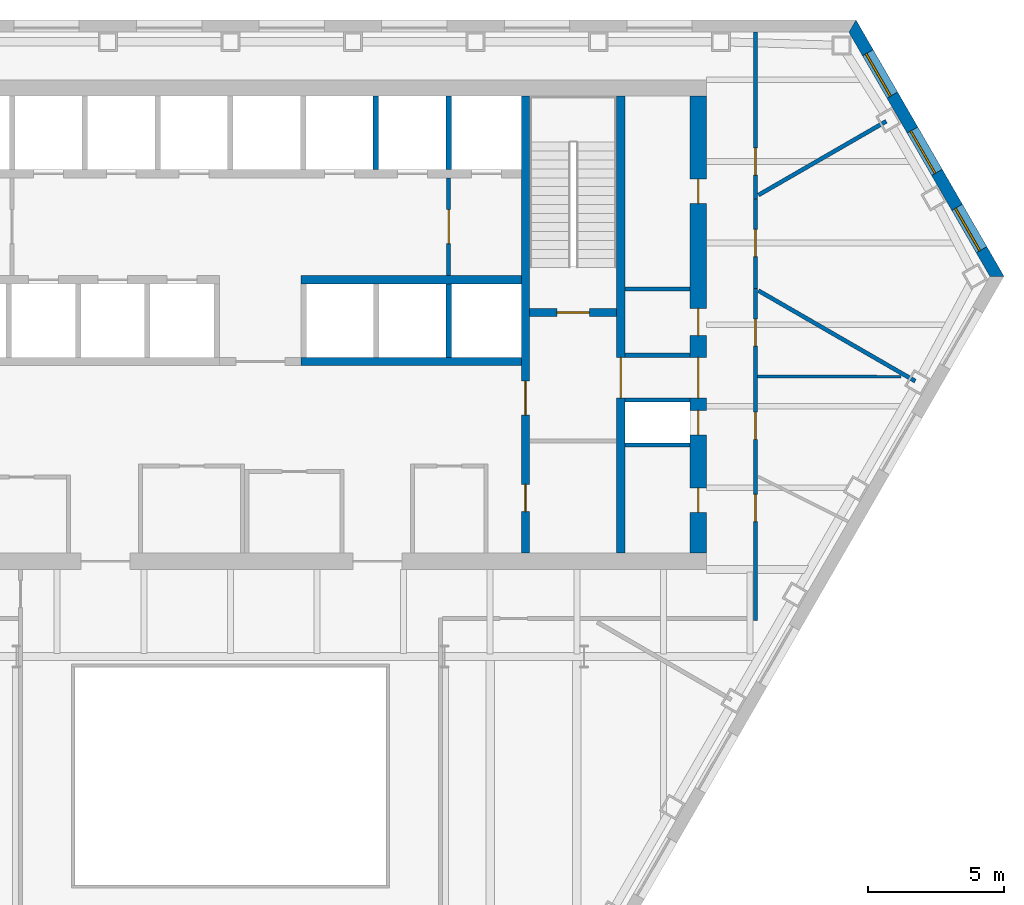
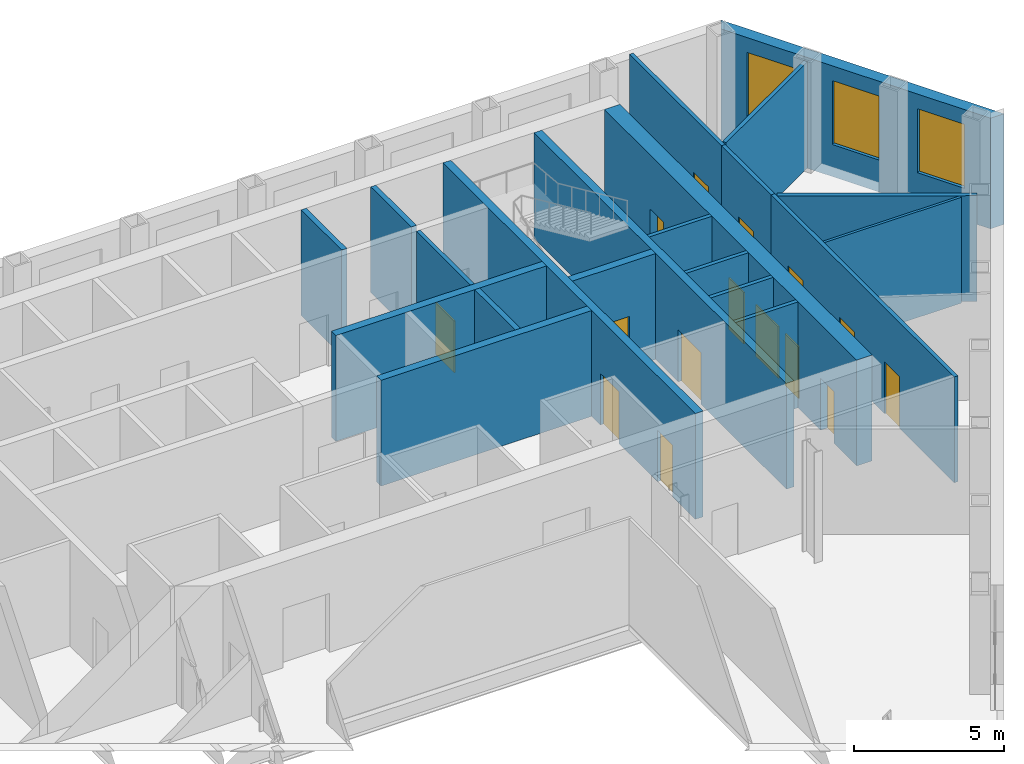
# One storey, part 7 of 10: 21 walls, 15 doors, 3 windows, 18 openings.
"""IFC4 building model written with IfcOpenShell, lengths in metres."""

from ifc_helpers import new_model, si_unit, direction, frame, frame_2d, origin, place, context, subcontext, project, spatial, polyline, rectangle, outline, extrude, material, layer, layer_set, type_object, element, fill, save


model = new_model("IFC4")

# Units and contexts
model_context = context("Model", 3, precision=1e-05, world=origin(), true_north=direction((0.0, 1.0)))
body_context = subcontext(model_context, "Body", "Model", "MODEL_VIEW")
ifc_project = project(units=[si_unit("LENGTHUNIT", "METRE"), si_unit("AREAUNIT", "SQUARE_METRE"), si_unit("VOLUMEUNIT", "CUBIC_METRE"), si_unit("PLANEANGLEUNIT", "RADIAN"), si_unit("MASSUNIT", "GRAM", prefix="KILO")], contexts=[model_context])

# Site, building, storey
site_placement = place(None, origin())
site = spatial("IfcSite", under=ifc_project, at=site_placement, CompositionType="ELEMENT")
building_placement = place(site_placement, origin())
building = spatial("IfcBuilding", under=site, at=building_placement, Name="Njiva Tower", CompositionType="ELEMENT")
storey_placement = place(building_placement, frame((0.0, 0.0, 73.8)))
storey = spatial("IfcBuildingStorey", under=building, at=storey_placement, Name="L15", CompositionType="ELEMENT", Elevation=73.8)

# Wall
ifc_material_1 = material(Name="Blockwork", Category="masonry")
ifc_layer_1 = layer(ifc_material_1, 0.15)
ifc_layer_set_1 = layer_set([ifc_layer_1], Name="Blockwork")
wall_type_1 = type_object("IfcWallType", Name="WT1 Compartment partition 150", PredefinedType="PARTITIONING", material=ifc_layer_set_1)
wall_1_placement = place(storey_placement, frame((14.5, 10.3166, 0.0), z_axis=(0.0, 0.0, 1.0), x_axis=(1.0, 0.0, 0.0)))
element("IfcWall", 1, at=wall_1_placement, inside=storey, type_object=wall_type_1, Name="Partition strip E10", PredefinedType="PARTITIONING", context=body_context, shape_type="SweptSolid", body=[
    extrude(rectangle(XDim=2.4, YDim=0.15, at=frame_2d((1.2, 0.0))), origin(), (0.0, 0.0, 1.0), 4.3),
])

# Wall, openings, doors
ifc_material_2 = material(Name="Concrete C40/50", Category="concrete")
ifc_layer_2 = layer(ifc_material_2, 0.3)
ifc_layer_set_2 = layer_set([ifc_layer_2], Name="Concrete C40/50")
wall_type_2 = type_object("IfcWallType", Name="WT10 Stair enclosure wall 300", PredefinedType="SHEAR", material=ifc_layer_set_2)
wall_2_placement = place(storey_placement, frame((10.85, 0.6, 0.0), z_axis=(0.0, 0.0, 1.0), x_axis=(0.0, 1.0, 0.0)))
wall_2 = element("IfcWall", 2, at=wall_2_placement, inside=storey, type_object=wall_type_2, Name="Stair wall east inner", PredefinedType="SHEAR", context=body_context, shape_type="SweptSolid", body=[
    extrude(rectangle(XDim=16.8, YDim=0.3, at=frame_2d((8.4, 0.0))), origin(), (0.0, 0.0, 1.0), 4.3),
])
opening_1_placement = place(wall_2_placement, frame((5.075, 0.0, 0.0)))
opening_1 = element("IfcOpeningElement", 3, at=opening_1_placement, cuts=wall_2, Name="Opening S05-D918", PredefinedType="OPENING", context=body_context, shape_type="SweptSolid", body=[
    extrude(rectangle(XDim=1.25, YDim=2.1, at=frame_2d((0.625, 1.05))), frame((0.0, 0.16, 0.0), z_axis=(0.0, -1.0, 0.0), x_axis=(1.0, 0.0, 0.0)), (0.0, 0.0, 1.0), 0.32),
])
opening_2_placement = place(wall_2_placement, frame((1.525, 0.0, 0.0)))
opening_2 = element("IfcOpeningElement", 4, at=opening_2_placement, cuts=wall_2, Name="Opening S05-D919", PredefinedType="OPENING", context=body_context, shape_type="SweptSolid", body=[
    extrude(rectangle(XDim=1.0, YDim=2.1, at=frame_2d((0.5, 1.05))), frame((0.0, 0.16, 0.0), z_axis=(0.0, -1.0, 0.0), x_axis=(1.0, 0.0, 0.0)), (0.0, 0.0, 1.0), 0.32),
])
ifc_material_3 = material(Name="Steel door, painted", Category="steel")
door_type_1 = type_object("IfcDoorType", Name="D5 Steel door 1000x2100", OperationType="SINGLE_SWING_LEFT", PredefinedType="DOOR", material=ifc_material_3)
door_1_placement = place(opening_2_placement, origin())
door_1 = element("IfcDoor", 5, at=door_1_placement, inside=storey, type_object=door_type_1, Name="Quiet room door", OperationType="SINGLE_SWING_LEFT", OverallHeight=2.1, OverallWidth=1.0, PredefinedType="DOOR", context=body_context, shape_type="SweptSolid", body=[
    extrude(rectangle(XDim=1.0, YDim=2.1, at=frame_2d((0.5, 1.05))), frame((0.0, 0.025, 0.0), z_axis=(0.0, -1.0, 0.0), x_axis=(1.0, 0.0, 0.0)), (0.0, 0.0, 1.0), 0.05),
])
fill(opening_2, door_1)
ifc_material_4 = material(Name="Glazed steel fire door", Category="steel")
door_type_2 = type_object("IfcDoorType", Name="D8 Vestibule corridor door 1250x2100 glazed", OperationType="SINGLE_SWING_LEFT", PredefinedType="DOOR", material=ifc_material_4)
door_2_placement = place(opening_1_placement, origin())
door_2 = element("IfcDoor", 6, at=door_2_placement, inside=storey, type_object=door_type_2, Name="Stair vestibule corridor door", OperationType="SINGLE_SWING_RIGHT", OverallHeight=2.1, OverallWidth=1.25, PredefinedType="DOOR", context=body_context, shape_type="SweptSolid", body=[
    extrude(rectangle(XDim=1.25, YDim=2.1, at=frame_2d((0.625, 1.05))), frame((0.0, 0.025, 0.0), z_axis=(0.0, -1.0, 0.0), x_axis=(1.0, 0.0, 0.0)), (0.0, 0.0, 1.0), 0.05),
])
fill(opening_1, door_2)

# Wall, opening, door
wall_3_placement = place(storey_placement, frame((14.35, 0.6, 0.0), z_axis=(0.0, 0.0, 1.0), x_axis=(0.0, 1.0, 0.0)))
wall_3 = element("IfcWall", 7, at=wall_3_placement, inside=storey, type_object=wall_type_2, Name="Stair wall east outer", PredefinedType="SHEAR", context=body_context, shape_type="SweptSolid", body=[
    extrude(rectangle(XDim=16.8, YDim=0.3, at=frame_2d((8.4, 0.0))), origin(), (0.0, 0.0, 1.0), 4.3),
])
opening_3_placement = place(wall_3_placement, frame((5.7, 0.0, 0.0)))
opening_3 = element("IfcOpeningElement", 8, at=opening_3_placement, cuts=wall_3, Name="Opening S05-D926", PredefinedType="OPENING", context=body_context, shape_type="SweptSolid", body=[
    extrude(rectangle(XDim=1.5, YDim=2.1, at=frame_2d((0.75, 1.05))), frame((0.0, 0.16, 0.0), z_axis=(0.0, -1.0, 0.0), x_axis=(1.0, 0.0, 0.0)), (0.0, 0.0, 1.0), 0.32),
])
door_type_3 = type_object("IfcDoorType", Name="D10 Exit door double 1500x2100 glazed", OperationType="DOUBLE_DOOR_SINGLE_SWING", PredefinedType="DOOR", material=ifc_material_4)
door_3_placement = place(opening_3_placement, origin())
door_3 = element("IfcDoor", 9, at=door_3_placement, inside=storey, type_object=door_type_3, Name="Stair B passage door", OperationType="DOUBLE_DOOR_SINGLE_SWING", OverallHeight=2.1, OverallWidth=1.5, PredefinedType="DOOR", context=body_context, shape_type="SweptSolid", body=[
    extrude(rectangle(XDim=1.5, YDim=2.1, at=frame_2d((0.75, 1.05))), frame((0.0, 0.025, 0.0), z_axis=(0.0, -1.0, 0.0), x_axis=(1.0, 0.0, 0.0)), (0.0, 0.0, 1.0), 0.05),
])
fill(opening_3, door_3)

wall_4_placement = place(storey_placement, frame((11.0, 9.45, 0.0), z_axis=(0.0, 0.0, 1.0), x_axis=(1.0, 0.0, 0.0)))
wall_4 = element("IfcWall", 10, at=wall_4_placement, inside=storey, type_object=wall_type_2, Name="Stair B south wall", PredefinedType="SHEAR", context=body_context, shape_type="SweptSolid", body=[
    extrude(rectangle(XDim=3.2, YDim=0.3, at=frame_2d((1.6, 0.0))), origin(), (0.0, 0.0, 1.0), 4.3),
])
opening_4_placement = place(wall_4_placement, frame((1.0, 0.0, 0.0)))
opening_4 = element("IfcOpeningElement", 11, at=opening_4_placement, cuts=wall_4, Name="Opening S05-D917", PredefinedType="OPENING", context=body_context, shape_type="SweptSolid", body=[
    extrude(rectangle(XDim=1.2, YDim=2.1, at=frame_2d((0.6, 1.05))), frame((0.0, 0.16, 0.0), z_axis=(0.0, -1.0, 0.0), x_axis=(1.0, 0.0, 0.0)), (0.0, 0.0, 1.0), 0.32),
])
door_type_4 = type_object("IfcDoorType", Name="D7 Stair vestibule door 1200x2100 glazed", OperationType="SINGLE_SWING_LEFT", PredefinedType="DOOR", material=ifc_material_4)
door_4_placement = place(opening_4_placement, origin())
door_4 = element("IfcDoor", 12, at=door_4_placement, inside=storey, type_object=door_type_4, Name="Stair B door", OperationType="SINGLE_SWING_LEFT", OverallHeight=2.1, OverallWidth=1.2, PredefinedType="DOOR", context=body_context, shape_type="SweptSolid", body=[
    extrude(rectangle(XDim=1.2, YDim=2.1, at=frame_2d((0.6, 1.05))), frame((0.0, 0.025, 0.0), z_axis=(0.0, -1.0, 0.0), x_axis=(1.0, 0.0, 0.0)), (0.0, 0.0, 1.0), 0.05),
])
fill(opening_4, door_4)

# Wall, openings, doors
ifc_material_5 = material(Name="Concrete C60/75", Category="concrete")
ifc_layer_3 = layer(ifc_material_5, 0.6)
ifc_layer_set_3 = layer_set([ifc_layer_3], Name="Concrete C60/75")
wall_type_3 = type_object("IfcWallType", Name="WT15 Core wall 600", PredefinedType="SHEAR", material=ifc_layer_set_3)
wall_5_placement = place(storey_placement, frame((17.2, 0.6, 0.0), z_axis=(0.0, 0.0, 1.0), x_axis=(0.0, 1.0, 0.0)))
wall_5 = element("IfcWall", 13, at=wall_5_placement, inside=storey, type_object=wall_type_3, Name="Core wall east", PredefinedType="SHEAR", context=body_context, shape_type="SweptSolid", body=[
    extrude(rectangle(XDim=16.8, YDim=0.6, at=frame_2d((8.4, 0.0))), origin(), (0.0, 0.0, 1.0), 4.3),
])
opening_5_placement = place(wall_5_placement, frame((5.7, 0.0, 0.0)))
opening_5 = element("IfcOpeningElement", 14, at=opening_5_placement, cuts=wall_5, Name="Opening S05-D927", PredefinedType="OPENING", context=body_context, shape_type="SweptSolid", body=[
    extrude(rectangle(XDim=1.5, YDim=2.1, at=frame_2d((0.75, 1.05))), frame((0.0, 0.31, 0.0), z_axis=(0.0, -1.0, 0.0), x_axis=(1.0, 0.0, 0.0)), (0.0, 0.0, 1.0), 0.62),
])
opening_6_placement = place(wall_5_placement, frame((1.5, 0.0, 0.0)))
opening_6 = element("IfcOpeningElement", 15, at=opening_6_placement, cuts=wall_5, Name="Opening S05-D928", PredefinedType="OPENING", context=body_context, shape_type="SweptSolid", body=[
    extrude(rectangle(XDim=0.9, YDim=2.1, at=frame_2d((0.45, 1.05))), frame((0.0, 0.31, 0.0), z_axis=(0.0, -1.0, 0.0), x_axis=(1.0, 0.0, 0.0)), (0.0, 0.0, 1.0), 0.62),
])
opening_7_placement = place(wall_5_placement, frame((4.35, 0.0, 0.0)))
opening_7 = element("IfcOpeningElement", 16, at=opening_7_placement, cuts=wall_5, Name="Opening S05-D929", PredefinedType="OPENING", context=body_context, shape_type="SweptSolid", body=[
    extrude(rectangle(XDim=0.9, YDim=2.1, at=frame_2d((0.45, 1.05))), frame((0.0, 0.31, 0.0), z_axis=(0.0, -1.0, 0.0), x_axis=(1.0, 0.0, 0.0)), (0.0, 0.0, 1.0), 0.62),
])
opening_8_placement = place(wall_5_placement, frame((7.9958, 0.0, 0.0)))
opening_8 = element("IfcOpeningElement", 17, at=opening_8_placement, cuts=wall_5, Name="Opening S05-D930", PredefinedType="OPENING", context=body_context, shape_type="SweptSolid", body=[
    extrude(rectangle(XDim=1.0, YDim=2.1, at=frame_2d((0.5, 1.05))), frame((0.0, 0.31, 0.0), z_axis=(0.0, -1.0, 0.0), x_axis=(1.0, 0.0, 0.0)), (0.0, 0.0, 1.0), 0.62),
])
opening_9_placement = place(wall_5_placement, frame((12.8458, 0.0, 0.0)))
opening_9 = element("IfcOpeningElement", 18, at=opening_9_placement, cuts=wall_5, Name="Opening S05-D931", PredefinedType="OPENING", context=body_context, shape_type="SweptSolid", body=[
    extrude(rectangle(XDim=0.9, YDim=2.1, at=frame_2d((0.45, 1.05))), frame((0.0, 0.31, 0.0), z_axis=(0.0, -1.0, 0.0), x_axis=(1.0, 0.0, 0.0)), (0.0, 0.0, 1.0), 0.62),
])
door_5_placement = place(opening_5_placement, origin())
door_5 = element("IfcDoor", 19, at=door_5_placement, inside=storey, type_object=door_type_3, Name="Stair B corridor door", OperationType="DOUBLE_DOOR_SINGLE_SWING", OverallHeight=2.1, OverallWidth=1.5, PredefinedType="DOOR", context=body_context, shape_type="SweptSolid", body=[
    extrude(rectangle(XDim=1.5, YDim=2.1, at=frame_2d((0.75, 1.05))), frame((0.0, 0.025, 0.0), z_axis=(0.0, -1.0, 0.0), x_axis=(1.0, 0.0, 0.0)), (0.0, 0.0, 1.0), 0.05),
])
fill(opening_5, door_5)
door_type_5 = type_object("IfcDoorType", Name="D4 Riser door 900x2100", OperationType="SINGLE_SWING_LEFT", PredefinedType="DOOR", material=ifc_material_3)
door_6_placement = place(opening_7_placement, origin())
door_6 = element("IfcDoor", 20, at=door_6_placement, inside=storey, type_object=door_type_5, Name="Riser door", OperationType="SINGLE_SWING_LEFT", OverallHeight=2.1, OverallWidth=0.9, PredefinedType="DOOR", context=body_context, shape_type="SweptSolid", body=[
    extrude(rectangle(XDim=0.9, YDim=2.1, at=frame_2d((0.45, 1.05))), frame((0.0, 0.025, 0.0), z_axis=(0.0, -1.0, 0.0), x_axis=(1.0, 0.0, 0.0)), (0.0, 0.0, 1.0), 0.05),
])
fill(opening_7, door_6)
door_7_placement = place(opening_8_placement, origin())
door_7 = element("IfcDoor", 21, at=door_7_placement, inside=storey, type_object=door_type_1, Name="Telecoms room door", OperationType="SINGLE_SWING_LEFT", OverallHeight=2.1, OverallWidth=1.0, PredefinedType="DOOR", context=body_context, shape_type="SweptSolid", body=[
    extrude(rectangle(XDim=1.0, YDim=2.1, at=frame_2d((0.5, 1.05))), frame((0.0, 0.025, 0.0), z_axis=(0.0, -1.0, 0.0), x_axis=(1.0, 0.0, 0.0)), (0.0, 0.0, 1.0), 0.05),
])
fill(opening_8, door_7)
ifc_material_6 = material(Name="Steel fire door, painted", Category="steel")
door_type_6 = type_object("IfcDoorType", Name="D6 Fire-rated door 900x2100", OperationType="SINGLE_SWING_LEFT", PredefinedType="DOOR", material=ifc_material_6)
door_8_placement = place(opening_6_placement, origin())
door_8 = element("IfcDoor", 22, at=door_8_placement, inside=storey, type_object=door_type_6, Name="Reading room door", OperationType="SINGLE_SWING_RIGHT", OverallHeight=2.1, OverallWidth=0.9, PredefinedType="DOOR", context=body_context, shape_type="SweptSolid", body=[
    extrude(rectangle(XDim=0.9, YDim=2.1, at=frame_2d((0.45, 1.05))), frame((0.0, 0.025, 0.0), z_axis=(0.0, -1.0, 0.0), x_axis=(1.0, 0.0, 0.0)), (0.0, 0.0, 1.0), 0.05),
])
fill(opening_6, door_8)
door_9_placement = place(opening_9_placement, origin())
door_9 = element("IfcDoor", 23, at=door_9_placement, inside=storey, type_object=door_type_6, Name="Tenant centre door", OperationType="SINGLE_SWING_LEFT", OverallHeight=2.1, OverallWidth=0.9, PredefinedType="DOOR", context=body_context, shape_type="SweptSolid", body=[
    extrude(rectangle(XDim=0.9, YDim=2.1, at=frame_2d((0.45, 1.05))), frame((0.0, 0.025, 0.0), z_axis=(0.0, -1.0, 0.0), x_axis=(1.0, 0.0, 0.0)), (0.0, 0.0, 1.0), 0.05),
])
fill(opening_9, door_9)

# Wall, opening, door
ifc_layer_4 = layer(ifc_material_1, 0.15)
ifc_layer_set_4 = layer_set([ifc_layer_4], Name="Blockwork")
wall_type_4 = type_object("IfcWallType", Name="WT2 Lobby partition 150", PredefinedType="PARTITIONING", material=ifc_layer_set_4)
wall_6_placement = place(storey_placement, frame((8.025, 10.8, 0.0), z_axis=(0.0, 0.0, 1.0), x_axis=(0.0, 1.0, 0.0)))
wall_6 = element("IfcWall", 24, at=wall_6_placement, inside=storey, type_object=wall_type_4, Name="Firefighting lobby wall B", PredefinedType="PARTITIONING", context=body_context, shape_type="SweptSolid", body=[
    extrude(rectangle(XDim=3.6, YDim=0.15, at=frame_2d((1.8, 0.0))), origin(), (0.0, 0.0, 1.0), 4.3),
])
opening_10_placement = place(wall_6_placement, frame((1.175, 0.0, 0.0)))
opening_10 = element("IfcOpeningElement", 25, at=opening_10_placement, cuts=wall_6, Name="Opening S05-D916", PredefinedType="OPENING", context=body_context, shape_type="SweptSolid", body=[
    extrude(rectangle(XDim=1.25, YDim=2.1, at=frame_2d((0.625, 1.05))), frame((0.0, 0.085, 0.0), z_axis=(0.0, -1.0, 0.0), x_axis=(1.0, 0.0, 0.0)), (0.0, 0.0, 1.0), 0.17),
])
door_10_placement = place(opening_10_placement, origin())
door_10 = element("IfcDoor", 26, at=door_10_placement, inside=storey, type_object=door_type_2, Name="Stair vestibule corridor door", OperationType="SINGLE_SWING_LEFT", OverallHeight=2.1, OverallWidth=1.25, PredefinedType="DOOR", context=body_context, shape_type="SweptSolid", body=[
    extrude(rectangle(XDim=1.25, YDim=2.1, at=frame_2d((0.625, 1.05))), frame((0.0, 0.025, 0.0), z_axis=(0.0, -1.0, 0.0), x_axis=(1.0, 0.0, 0.0)), (0.0, 0.0, 1.0), 0.05),
])
fill(opening_10, door_10)

# Wall
ifc_material_7 = material(Name="Gypsum board on steel studs", Category="gypsum")
ifc_layer_5 = layer(ifc_material_7, 0.1)
ifc_layer_set_5 = layer_set([ifc_layer_5], Name="Gypsum board on steel studs")
wall_type_5 = type_object("IfcWallType", Name="WT20 Gypsum partition 100", PredefinedType="PARTITIONING", material=ifc_layer_set_5)
wall_7_placement = place(storey_placement, frame((19.375, 7.097, 0.0), z_axis=(0.0, 0.0, 1.0), x_axis=(0.999998546715, -0.001704865869, 0.0)))
element("IfcWall", 27, at=wall_7_placement, inside=storey, type_object=wall_type_5, Name="Partition S05-P017", PredefinedType="PARTITIONING", context=body_context, shape_type="SweptSolid", body=[
    extrude(rectangle(XDim=5.279, YDim=0.1, at=frame_2d((2.6395, 0.0))), origin(), (0.0, 0.0, 1.0), 4.3),
])

# Wall, opening, door
ifc_layer_6 = layer(ifc_material_7, 0.15)
ifc_layer_set_6 = layer_set([ifc_layer_6], Name="Gypsum board on steel studs")
wall_type_6 = type_object("IfcWallType", Name="WT21 Compartment wall 150", PredefinedType="PARTITIONING", material=ifc_layer_set_6)
wall_8_placement = place(storey_placement, frame((19.3, 13.624, 0.0), z_axis=(0.0, 0.0, 1.0), x_axis=(0.000163238653, 0.999999986677, 0.0)))
wall_8 = element("IfcWall", 28, at=wall_8_placement, inside=storey, type_object=wall_type_6, Name="Partition S05-P014", PredefinedType="PARTITIONING", context=body_context, shape_type="SweptSolid", body=[
    extrude(rectangle(XDim=6.126, YDim=0.15, at=frame_2d((3.063, 0.0))), origin(), (0.0, 0.0, 1.0), 4.3),
])
opening_11_placement = place(wall_8_placement, frame((0.875, 0.0, 0.0)))
opening_11 = element("IfcOpeningElement", 29, at=opening_11_placement, cuts=wall_8, Name="Opening S05-D008", PredefinedType="OPENING", context=body_context, shape_type="SweptSolid", body=[
    extrude(rectangle(XDim=1.0, YDim=2.1, at=frame_2d((0.5, 1.05))), frame((0.0, 0.085, 0.0), z_axis=(0.0, -1.0, 0.0), x_axis=(1.0, 0.0, 0.0)), (0.0, 0.0, 1.0), 0.17),
])
ifc_material_8 = material(Name="Steel fire door set", Category="steel")
door_type_7 = type_object("IfcDoorType", Name="D37 Fire door 1000x2100", OperationType="SINGLE_SWING_LEFT", PredefinedType="DOOR", material=ifc_material_8)
door_11_placement = place(opening_11_placement, origin())
door_11 = element("IfcDoor", 30, at=door_11_placement, inside=storey, type_object=door_type_7, Name="Door S05-D008", OperationType="SINGLE_SWING_LEFT", OverallHeight=2.1, OverallWidth=1.0, PredefinedType="DOOR", context=body_context, shape_type="SweptSolid", body=[
    extrude(rectangle(XDim=1.0, YDim=2.1, at=frame_2d((0.5, 1.05))), frame((0.0, 0.025, 0.0), z_axis=(0.0, -1.0, 0.0), x_axis=(1.0, 0.0, 0.0)), (0.0, 0.0, 1.0), 0.05),
])
fill(opening_11, door_11)

# Wall, openings, doors
wall_9_placement = place(storey_placement, frame((19.3, -1.875, 0.0), z_axis=(0.0, 0.0, 1.0), x_axis=(0.0, 1.0, 0.0)))
wall_9 = element("IfcWall", 31, at=wall_9_placement, inside=storey, type_object=wall_type_6, Name="Partition S05-P015", PredefinedType="PARTITIONING", context=body_context, shape_type="SweptSolid", body=[
    extrude(rectangle(XDim=12.202, YDim=0.15, at=frame_2d((6.101, 0.0))), origin(), (0.0, 0.0, 1.0), 4.3),
])
opening_12_placement = place(wall_9_placement, frame((3.634, 0.0, 0.0)))
opening_12 = element("IfcOpeningElement", 32, at=opening_12_placement, cuts=wall_9, Name="Opening S05-D009", PredefinedType="OPENING", context=body_context, shape_type="SweptSolid", body=[
    extrude(rectangle(XDim=1.0, YDim=2.1, at=frame_2d((0.5, 1.05))), frame((0.0, 0.085, 0.0), z_axis=(0.0, -1.0, 0.0), x_axis=(1.0, 0.0, 0.0)), (0.0, 0.0, 1.0), 0.17),
])
opening_13_placement = place(wall_9_placement, frame((6.658, 0.0, 0.0)))
opening_13 = element("IfcOpeningElement", 33, at=opening_13_placement, cuts=wall_9, Name="Opening S05-D010", PredefinedType="OPENING", context=body_context, shape_type="SweptSolid", body=[
    extrude(rectangle(XDim=1.0, YDim=2.1, at=frame_2d((0.5, 1.05))), frame((0.0, 0.085, 0.0), z_axis=(0.0, -1.0, 0.0), x_axis=(1.0, 0.0, 0.0)), (0.0, 0.0, 1.0), 0.17),
])
opening_14_placement = place(wall_9_placement, frame((10.081, 0.0, 0.0)))
opening_14 = element("IfcOpeningElement", 34, at=opening_14_placement, cuts=wall_9, Name="Opening S05-D011", PredefinedType="OPENING", context=body_context, shape_type="SweptSolid", body=[
    extrude(rectangle(XDim=1.0, YDim=2.1, at=frame_2d((0.5, 1.05))), frame((0.0, 0.085, 0.0), z_axis=(0.0, -1.0, 0.0), x_axis=(1.0, 0.0, 0.0)), (0.0, 0.0, 1.0), 0.17),
])
door_12_placement = place(opening_12_placement, origin())
door_12 = element("IfcDoor", 35, at=door_12_placement, inside=storey, type_object=door_type_7, Name="Door S05-D009", OperationType="SINGLE_SWING_LEFT", OverallHeight=2.1, OverallWidth=1.0, PredefinedType="DOOR", context=body_context, shape_type="SweptSolid", body=[
    extrude(rectangle(XDim=1.0, YDim=2.1, at=frame_2d((0.5, 1.05))), frame((0.0, 0.025, 0.0), z_axis=(0.0, -1.0, 0.0), x_axis=(1.0, 0.0, 0.0)), (0.0, 0.0, 1.0), 0.05),
])
fill(opening_12, door_12)
door_13_placement = place(opening_13_placement, origin())
door_13 = element("IfcDoor", 36, at=door_13_placement, inside=storey, type_object=door_type_7, Name="Door S05-D010", OperationType="SINGLE_SWING_RIGHT", OverallHeight=2.1, OverallWidth=1.0, PredefinedType="DOOR", context=body_context, shape_type="SweptSolid", body=[
    extrude(rectangle(XDim=1.0, YDim=2.1, at=frame_2d((0.5, 1.05))), frame((0.0, 0.025, 0.0), z_axis=(0.0, -1.0, 0.0), x_axis=(1.0, 0.0, 0.0)), (0.0, 0.0, 1.0), 0.05),
])
fill(opening_13, door_13)
door_14_placement = place(opening_14_placement, origin())
door_14 = element("IfcDoor", 37, at=door_14_placement, inside=storey, type_object=door_type_7, Name="Door S05-D011", OperationType="SINGLE_SWING_RIGHT", OverallHeight=2.1, OverallWidth=1.0, PredefinedType="DOOR", context=body_context, shape_type="SweptSolid", body=[
    extrude(rectangle(XDim=1.0, YDim=2.1, at=frame_2d((0.5, 1.05))), frame((0.0, 0.025, 0.0), z_axis=(0.0, -1.0, 0.0), x_axis=(1.0, 0.0, 0.0)), (0.0, 0.0, 1.0), 0.05),
])
fill(opening_14, door_14)

# Wall, opening, door
wall_10_placement = place(storey_placement, frame((19.3, 13.624, 0.0), z_axis=(0.0, 0.0, 1.0), x_axis=(0.000303306022, -0.999999954003, 0.0)))
wall_10 = element("IfcWall", 38, at=wall_10_placement, inside=storey, type_object=wall_type_6, Name="Partition S05-P016", PredefinedType="PARTITIONING", context=body_context, shape_type="SweptSolid", body=[
    extrude(rectangle(XDim=3.297, YDim=0.15, at=frame_2d((1.6485, 0.0))), origin(), (0.0, 0.0, 1.0), 4.3),
])
opening_15_placement = place(wall_10_placement, frame((1.123, 0.0, 0.0)))
opening_15 = element("IfcOpeningElement", 39, at=opening_15_placement, cuts=wall_10, Name="Opening S05-D012", PredefinedType="OPENING", context=body_context, shape_type="SweptSolid", body=[
    extrude(rectangle(XDim=1.0, YDim=2.1, at=frame_2d((0.5, 1.05))), frame((0.0, 0.085, 0.0), z_axis=(0.0, -1.0, 0.0), x_axis=(1.0, 0.0, 0.0)), (0.0, 0.0, 1.0), 0.17),
])
door_15_placement = place(opening_15_placement, origin())
door_15 = element("IfcDoor", 40, at=door_15_placement, inside=storey, type_object=door_type_7, Name="Door S05-D012", OperationType="SINGLE_SWING_RIGHT", OverallHeight=2.1, OverallWidth=1.0, PredefinedType="DOOR", context=body_context, shape_type="SweptSolid", body=[
    extrude(rectangle(XDim=1.0, YDim=2.1, at=frame_2d((0.5, 1.05))), frame((0.0, 0.025, 0.0), z_axis=(0.0, -1.0, 0.0), x_axis=(1.0, 0.0, 0.0)), (0.0, 0.0, 1.0), 0.05),
])
fill(opening_15, door_15)

# Walls
wall_11_placement = place(storey_placement, frame((19.412, 10.251, 0.0), z_axis=(0.0, 0.0, 1.0), x_axis=(0.866080503844, -0.49990455175, 0.0)))
element("IfcWall", 41, at=wall_11_placement, inside=storey, type_object=wall_type_6, Name="Partition S05-P019", PredefinedType="PARTITIONING", context=body_context, shape_type="SweptSolid", body=[
    extrude(rectangle(XDim=6.6553, YDim=0.15, at=frame_2d((3.3276, 0.0))), origin(), (0.0, 0.0, 1.0), 4.3),
])
wall_12_placement = place(storey_placement, frame((19.413, 13.764, 0.0), z_axis=(0.0, 0.0, 1.0), x_axis=(0.866056658381, 0.499945861543, 0.0)))
element("IfcWall", 42, at=wall_12_placement, inside=storey, type_object=wall_type_6, Name="Partition S05-P020", PredefinedType="PARTITIONING", context=body_context, shape_type="SweptSolid", body=[
    extrude(rectangle(XDim=5.4246, YDim=0.15, at=frame_2d((2.7123, 0.0))), origin(), (0.0, 0.0, 1.0), 4.3),
])
ifc_layer_7 = layer(ifc_material_1, 0.15)
ifc_layer_set_7 = layer_set([ifc_layer_7], Name="Blockwork")
wall_type_7 = type_object("IfcWallType", Name="WT3 Riser partition 150", PredefinedType="PARTITIONING", material=ifc_layer_set_7)
wall_13_placement = place(storey_placement, frame((14.5, 4.575, 0.0), z_axis=(0.0, 0.0, 1.0), x_axis=(1.0, 0.0, 0.0)))
element("IfcWall", 43, at=wall_13_placement, inside=storey, type_object=wall_type_7, Name="Partition strip E00", PredefinedType="PARTITIONING", context=body_context, shape_type="SweptSolid", body=[
    extrude(rectangle(XDim=2.4, YDim=0.15, at=frame_2d((1.2, 0.0))), origin(), (0.0, 0.0, 1.0), 4.3),
])
ifc_layer_8 = layer(ifc_material_1, 0.15)
ifc_layer_set_8 = layer_set([ifc_layer_8], Name="Blockwork")
wall_type_8 = type_object("IfcWallType", Name="WT4 Stair partition 150", PredefinedType="PARTITIONING", material=ifc_layer_set_8)
for number, where, z_axis, x_axis, name in (
    (44, (14.5, 6.225, 0.0), (0.0, 0.0, 1.0), (1.0, 0.0, 0.0), "Stair B exit passage wall south"),
    (45, (14.5, 7.875, 0.0), (0.0, 0.0, 1.0), (1.0, 0.0, 0.0), "Stair B exit passage wall north"),
):
    element("IfcWall", number, at=place(storey_placement, frame(where, z_axis=z_axis, x_axis=x_axis)), inside=storey, type_object=wall_type_8, Name=name, PredefinedType="PARTITIONING", context=body_context, shape_type="SweptSolid", body=[
        extrude(rectangle(XDim=2.4, YDim=0.15, at=frame_2d((1.2, 0.0))), origin(), (0.0, 0.0, 1.0), 4.3),
    ])
ifc_layer_9 = layer(ifc_material_2, 0.2)
ifc_layer_set_9 = layer_set([ifc_layer_9], Name="Concrete C40/50")
wall_type_9 = type_object("IfcWallType", Name="WT6 Lift shaft wall 200", PredefinedType="SHEAR", material=ifc_layer_set_9)
for number, where, z_axis, x_axis, name in (
    (46, (5.35, 14.7, 0.0), (0.0, 0.0, 1.0), (0.0, 1.0, 0.0), "Shaft wall CN6"),
    (47, (8.025, 14.7, 0.0), (0.0, 0.0, 1.0), (0.0, 1.0, 0.0), "Shaft wall CN7"),
    (48, (8.0333, 7.8, 0.0), (0.0, 0.0, 1.0), (0.0, 1.0, 0.0), "Shaft wall CS7"),
):
    element("IfcWall", number, at=place(storey_placement, frame(where, z_axis=z_axis, x_axis=x_axis)), inside=storey, type_object=wall_type_9, Name=name, PredefinedType="SHEAR", context=body_context, shape_type="SweptSolid", body=[
        extrude(rectangle(XDim=2.7, YDim=0.2, at=frame_2d((1.35, 0.0))), origin(), (0.0, 0.0, 1.0), 4.3),
    ])
ifc_layer_10 = layer(ifc_material_2, 0.3)
ifc_layer_set_10 = layer_set([ifc_layer_10], Name="Concrete C40/50")
wall_type_10 = type_object("IfcWallType", Name="WT7 Lift shaft wall 300", PredefinedType="SHEAR", material=ifc_layer_set_10)
for number, where, z_axis, x_axis, name in (
    (49, (2.6, 10.65, 0.0), (0.0, 0.0, 1.0), (1.0, 0.0, 0.0), "Shaft wall south row lobby side E"),
    (50, (2.6, 7.65, 0.0), (0.0, 0.0, 1.0), (1.0, 0.0, 0.0), "Shaft wall south row back E"),
):
    element("IfcWall", number, at=place(storey_placement, frame(where, z_axis=z_axis, x_axis=x_axis)), inside=storey, type_object=wall_type_10, Name=name, PredefinedType="SHEAR", context=body_context, shape_type="SweptSolid", body=[
        extrude(rectangle(XDim=8.1, YDim=0.3, at=frame_2d((4.05, 0.0))), origin(), (0.0, 0.0, 1.0), 4.3),
    ])

# Wall, openings, windows
ifc_material_9 = material(Name="Brick masonry, buff", Category="masonry")
ifc_layer_11 = layer(ifc_material_9, 0.45)
ifc_layer_set_11 = layer_set([ifc_layer_11], Name="Brick masonry, buff")
wall_type_11 = type_object("IfcWallType", Name="WT94 Brick pier and spandrel wall 450, buff", PredefinedType="SOLIDWALL", material=ifc_layer_set_11)
wall_14_placement = place(storey_placement, frame((28.1802, 10.7776, -0.4), z_axis=(0.0, 0.0, 1.0), x_axis=(-0.499998491145, 0.866026274921, 0.0)))
wall_14 = element("IfcWall", 51, at=wall_14_placement, inside=storey, type_object=wall_type_11, Name="Facade wall NE", PredefinedType="SOLIDWALL", context=body_context, shape_type="SweptSolid", body=[
    extrude(outline(polyline([(-0.1299, -0.225), (10.7501, -0.225), (10.4903, 0.225), (0.1299, 0.225), (-0.1299, -0.225)])), origin(), (0.0, 0.0, 1.0), 4.5),
])
opening_16_placement = place(wall_14_placement, frame((1.1297, 0.0, 1.3)))
opening_16 = element("IfcOpeningElement", 52, at=opening_16_placement, cuts=wall_14, Name="Opening S05-W34", PredefinedType="OPENING", context=body_context, shape_type="SweptSolid", body=[
    extrude(rectangle(XDim=1.8, YDim=2.6, at=frame_2d((0.9, 1.3))), frame((0.0, 0.235, 0.0), z_axis=(0.0, -1.0, 0.0), x_axis=(1.0, 0.0, 0.0)), (0.0, 0.0, 1.0), 0.47),
])
opening_17_placement = place(wall_14_placement, frame((4.4101, 0.0, 1.3)))
opening_17 = element("IfcOpeningElement", 53, at=opening_17_placement, cuts=wall_14, Name="Opening S05-W35", PredefinedType="OPENING", context=body_context, shape_type="SweptSolid", body=[
    extrude(rectangle(XDim=1.8, YDim=2.6, at=frame_2d((0.9, 1.3))), frame((0.0, 0.235, 0.0), z_axis=(0.0, -1.0, 0.0), x_axis=(1.0, 0.0, 0.0)), (0.0, 0.0, 1.0), 0.47),
])
opening_18_placement = place(wall_14_placement, frame((7.6904, 0.0, 1.3)))
opening_18 = element("IfcOpeningElement", 54, at=opening_18_placement, cuts=wall_14, Name="Opening S05-W36", PredefinedType="OPENING", context=body_context, shape_type="SweptSolid", body=[
    extrude(rectangle(XDim=1.8, YDim=2.6, at=frame_2d((0.9, 1.3))), frame((0.0, 0.235, 0.0), z_axis=(0.0, -1.0, 0.0), x_axis=(1.0, 0.0, 0.0)), (0.0, 0.0, 1.0), 0.47),
])
ifc_material_10 = material(Name="Clear glazing in aluminium frame", Category="aluminium")
window_type = type_object("IfcWindowType", Name="W96 Deep-set window 1800x2600", PartitioningType="SINGLE_PANEL", PredefinedType="WINDOW", material=ifc_material_10)
window_1_placement = place(opening_16_placement, origin())
window_1 = element("IfcWindow", 55, at=window_1_placement, inside=storey, type_object=window_type, Name="Window", OverallHeight=2.6, OverallWidth=1.8, PartitioningType="SINGLE_PANEL", PredefinedType="WINDOW", context=body_context, shape_type="SweptSolid", body=[
    extrude(rectangle(XDim=1.8, YDim=2.6, at=frame_2d((0.9, 1.3))), frame((0.0, 0.105, 0.0), z_axis=(0.0, -1.0, 0.0), x_axis=(1.0, 0.0, 0.0)), (0.0, 0.0, 1.0), 0.06),
])
fill(opening_16, window_1)
window_2_placement = place(opening_17_placement, origin())
window_2 = element("IfcWindow", 56, at=window_2_placement, inside=storey, type_object=window_type, Name="Window", OverallHeight=2.6, OverallWidth=1.8, PartitioningType="SINGLE_PANEL", PredefinedType="WINDOW", context=body_context, shape_type="SweptSolid", body=[
    extrude(rectangle(XDim=1.8, YDim=2.6, at=frame_2d((0.9, 1.3))), frame((0.0, 0.105, 0.0), z_axis=(0.0, -1.0, 0.0), x_axis=(1.0, 0.0, 0.0)), (0.0, 0.0, 1.0), 0.06),
])
fill(opening_17, window_2)
window_3_placement = place(opening_18_placement, origin())
window_3 = element("IfcWindow", 57, at=window_3_placement, inside=storey, type_object=window_type, Name="Window", OverallHeight=2.6, OverallWidth=1.8, PartitioningType="SINGLE_PANEL", PredefinedType="WINDOW", context=body_context, shape_type="SweptSolid", body=[
    extrude(rectangle(XDim=1.8, YDim=2.6, at=frame_2d((0.9, 1.3))), frame((0.0, 0.105, 0.0), z_axis=(0.0, -1.0, 0.0), x_axis=(1.0, 0.0, 0.0)), (0.0, 0.0, 1.0), 0.06),
])
fill(opening_18, window_3)

save(model, "model.ifc")
